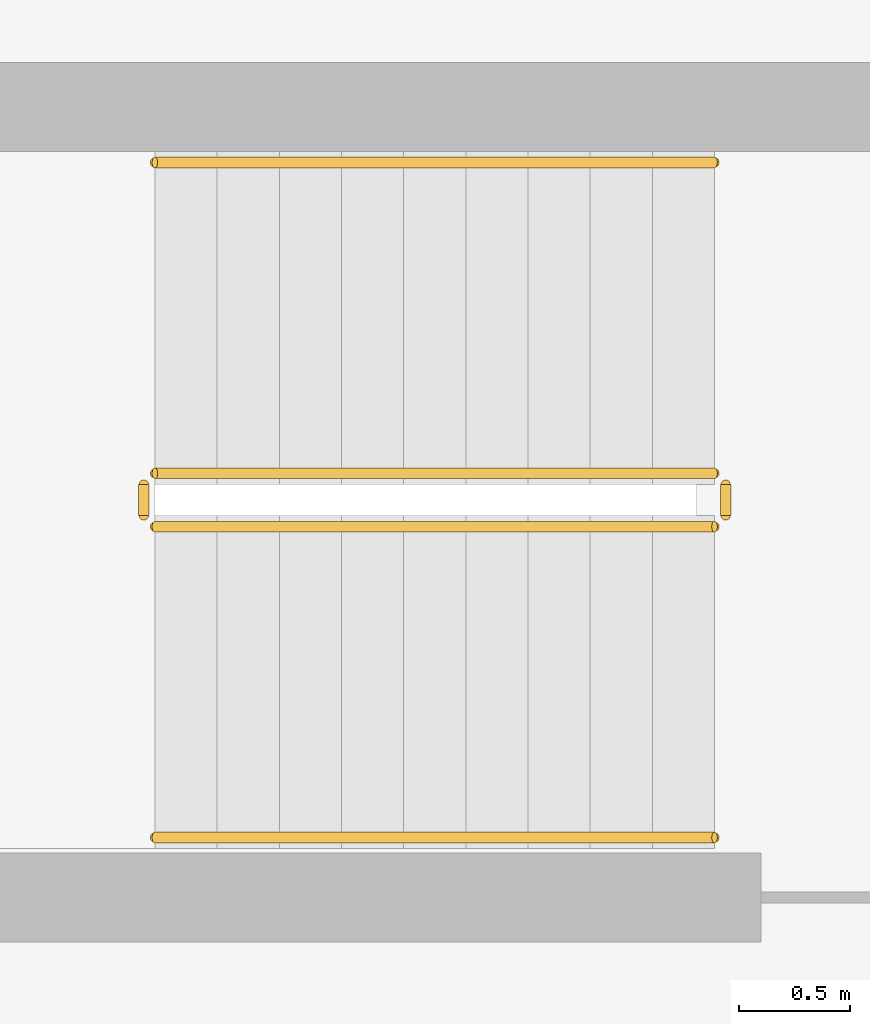
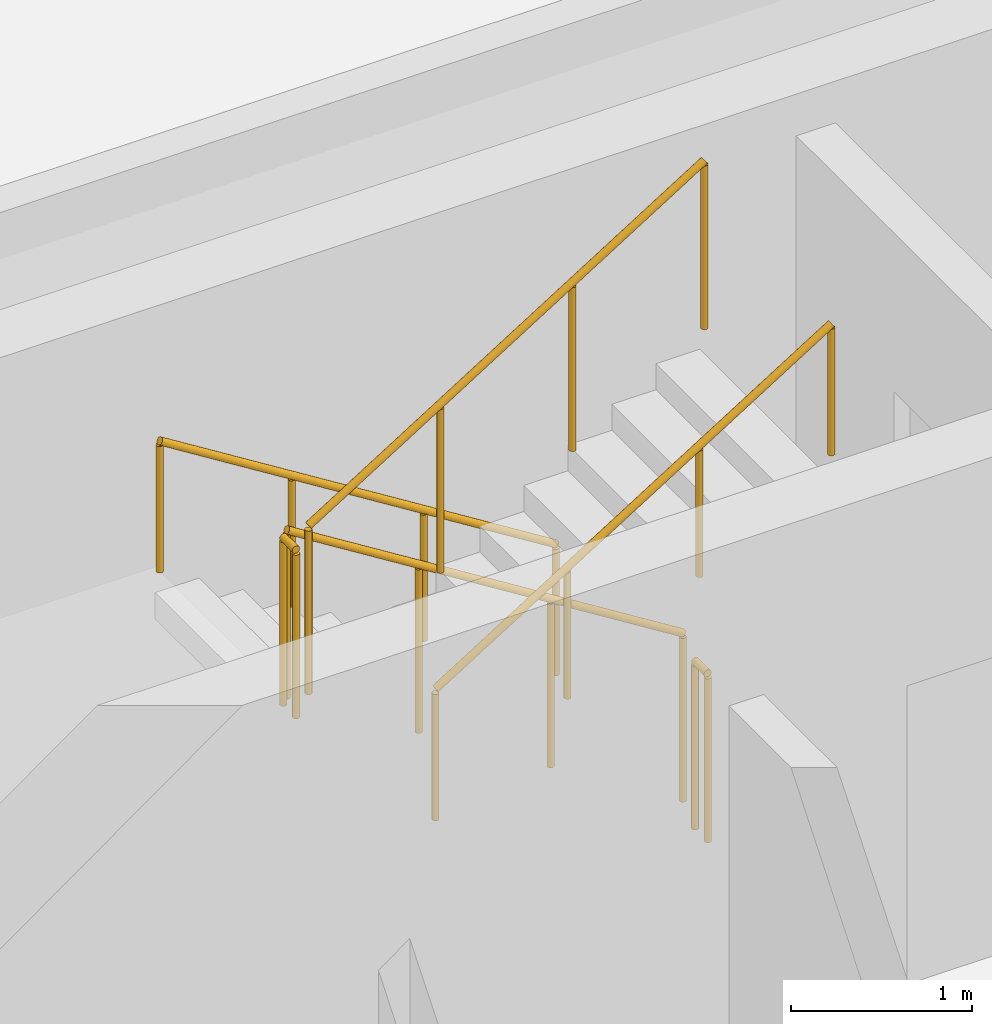
# One storey, part 13 of 14: 6 railings.
"""IFC4 building model written with IfcOpenShell, lengths in metres."""

from ifc_helpers import new_model, si_unit, derived_unit, direction, frame, origin, origin_2d, place, context, subcontext, project, spatial, circle, extrude, material, type_object, element, save


model = new_model("IFC4")

# Units and contexts
model_context = context("Model", 3, precision=1e-05, world=origin(), true_north=direction((0.0, 1.0)))
body_context = subcontext(model_context, "Body", "Model", "MODEL_VIEW")
ifc_project = project(units=[si_unit("LENGTHUNIT", "METRE"), si_unit("AREAUNIT", "SQUARE_METRE"), si_unit("VOLUMEUNIT", "CUBIC_METRE"), si_unit("PLANEANGLEUNIT", "RADIAN"), si_unit("MASSUNIT", "GRAM", prefix="KILO"), derived_unit("THERMALTRANSMITTANCEUNIT", [(si_unit("POWERUNIT", "WATT"), 1), (si_unit("LENGTHUNIT", "METRE"), -2), (si_unit("THERMODYNAMICTEMPERATUREUNIT", "KELVIN"), -1)])], contexts=[model_context])

# Site, building, storey
site_placement = place(None, origin())
site = spatial("IfcSite", under=ifc_project, at=site_placement, CompositionType="ELEMENT")
building_placement = place(site_placement, origin())
building = spatial("IfcBuilding", under=site, at=building_placement, Name="Kivonza Crest Hotel", CompositionType="ELEMENT")
storey_placement = place(building_placement, frame((0.0, 0.0, 145.0)))
storey = spatial("IfcBuildingStorey", under=building, at=storey_placement, Name="L39", CompositionType="ELEMENT", Elevation=145.0)

# Railings
ifc_material_1 = material(Name="Brushed stainless steel handrail", Category="steel")
railing_type_1 = type_object("IfcRailingType", Name="RL-HAND-900", PredefinedType="HANDRAIL", material=ifc_material_1)
railing_1_placement = place(storey_placement, frame((12.239990234375, 36.110107421875, 0.175048828125)))
element("IfcRailing", 1, at=railing_1_placement, inside=storey, type_object=railing_type_1, Name="L39 ST-T1-N stair handrail 1", PredefinedType="HANDRAIL", context=body_context, shape_type="SweptSolid", body=[
    extrude(circle(Radius=0.02392578125, at=origin_2d()), frame((0.0, 0.0, 0.8759765625), z_axis=(-0.848007534815, 0.0, 0.529984170421), x_axis=(0.0, -1.0, 0.0)), (0.0, 0.0, 1.0), 2.9716796875),
    extrude(circle(Radius=0.02099609375, at=origin_2d()), origin(), (0.0, 0.0, 1.0), 0.851806640625),
    extrude(circle(Radius=0.02099609375, at=origin_2d()), frame((-0.840087890625, 0.0, 0.52490234375)), (0.0, 0.0, 1.0), 0.851806640625),
    extrude(circle(Radius=0.02099609375, at=origin_2d()), frame((-1.679931640625, 0.0, 1.050048828125)), (0.0, 0.0, 1.0), 0.851806640625),
    extrude(circle(Radius=0.02099609375, at=origin_2d()), frame((-2.52001953125, 0.0, 1.574951171875)), (0.0, 0.0, 1.0), 0.851806640625),
])
railing_2_placement = place(storey_placement, frame((9.719970703125, 33.070068359375, 1.925048828125)))
element("IfcRailing", 2, at=railing_2_placement, inside=storey, type_object=railing_type_1, Name="L39 ST-T1-N stair handrail 2", PredefinedType="HANDRAIL", context=body_context, shape_type="SweptSolid", body=[
    extrude(circle(Radius=0.02392578125, at=origin_2d()), frame((0.0, 0.0, 0.8759765625), z_axis=(0.848007534815, 0.0, 0.529984170421), x_axis=(0.0, 1.0, 0.0)), (0.0, 0.0, 1.0), 2.9716796875),
    extrude(circle(Radius=0.02099609375, at=origin_2d()), origin(), (0.0, 0.0, 1.0), 0.851806640625),
    extrude(circle(Radius=0.02099609375, at=origin_2d()), frame((0.840087890625, 0.0, 0.52490234375)), (0.0, 0.0, 1.0), 0.851806640625),
    extrude(circle(Radius=0.02099609375, at=origin_2d()), frame((1.679931640625, 0.0, 1.050048828125)), (0.0, 0.0, 1.0), 0.851806640625),
    extrude(circle(Radius=0.02099609375, at=origin_2d()), frame((2.52001953125, 0.0, 1.574951171875)), (0.0, 0.0, 1.0), 0.851806640625),
])
ifc_material_2 = material(Name="Painted steel balustrade", Category="steel")
railing_type_2 = type_object("IfcRailingType", Name="RL-STAIR-1150", PredefinedType="BALUSTRADE", material=ifc_material_2)
railing_3_placement = place(storey_placement, frame((12.239990234375, 34.7099609375, 0.175048828125)))
element("IfcRailing", 3, at=railing_3_placement, inside=storey, type_object=railing_type_2, Name="L39 ST-T1-N stair guard 1", PredefinedType="BALUSTRADE", context=body_context, shape_type="SweptSolid", body=[
    extrude(circle(Radius=0.02392578125, at=origin_2d()), frame((0.0, 0.0, 1.1259765625), z_axis=(-0.848007534815, 0.0, 0.529984170421), x_axis=(0.0, -1.0, 0.0)), (0.0, 0.0, 1.0), 2.9716796875),
    extrude(circle(Radius=0.02099609375, at=origin_2d()), origin(), (0.0, 0.0, 1.0), 1.101806640625),
    extrude(circle(Radius=0.02099609375, at=origin_2d()), frame((-0.840087890625, 0.0, 0.52490234375)), (0.0, 0.0, 1.0), 1.101806640625),
    extrude(circle(Radius=0.02099609375, at=origin_2d()), frame((-1.679931640625, 0.0, 1.050048828125)), (0.0, 0.0, 1.0), 1.101806640625),
    extrude(circle(Radius=0.02099609375, at=origin_2d()), frame((-2.52001953125, 0.0, 1.574951171875)), (0.0, 0.0, 1.0), 1.101806640625),
])
railing_4_placement = place(storey_placement, frame((9.669921875, 34.659912109375, 1.75)))
element("IfcRailing", 4, at=railing_4_placement, inside=storey, type_object=railing_type_2, Name="L39 ST-T1-N stair guard 2", PredefinedType="BALUSTRADE", context=body_context, shape_type="SweptSolid", body=[
    extrude(circle(Radius=0.02392578125, at=origin_2d()), frame((0.0, 0.0, 1.1259765625), z_axis=(0.0, -1.0, 0.0), x_axis=(1.0, 0.0, 0.0)), (0.0, 0.0, 1.0), 0.139892578125),
    extrude(circle(Radius=0.02099609375, at=origin_2d()), origin(), (0.0, 0.0, 1.0), 1.101806640625),
    extrude(circle(Radius=0.02099609375, at=origin_2d()), frame((0.0, -0.139892578125, 0.0)), (0.0, 0.0, 1.0), 1.101806640625),
])
railing_5_placement = place(storey_placement, frame((9.719970703125, 34.469970703125, 1.925048828125)))
element("IfcRailing", 5, at=railing_5_placement, inside=storey, type_object=railing_type_2, Name="L39 ST-T1-N stair guard 3", PredefinedType="BALUSTRADE", context=body_context, shape_type="SweptSolid", body=[
    extrude(circle(Radius=0.02392578125, at=origin_2d()), frame((0.0, 0.0, 1.1259765625), z_axis=(0.848007534815, 0.0, 0.529984170421), x_axis=(0.0, 1.0, 0.0)), (0.0, 0.0, 1.0), 2.9716796875),
    extrude(circle(Radius=0.02099609375, at=origin_2d()), origin(), (0.0, 0.0, 1.0), 1.101806640625),
    extrude(circle(Radius=0.02099609375, at=origin_2d()), frame((0.840087890625, 0.0, 0.52490234375)), (0.0, 0.0, 1.0), 1.101806640625),
    extrude(circle(Radius=0.02099609375, at=origin_2d()), frame((1.679931640625, 0.0, 1.050048828125)), (0.0, 0.0, 1.0), 1.101806640625),
    extrude(circle(Radius=0.02099609375, at=origin_2d()), frame((2.52001953125, 0.0, 1.574951171875)), (0.0, 0.0, 1.0), 1.101806640625),
])
railing_6_placement = place(storey_placement, frame((12.2900390625, 34.659912109375, 0.0)))
element("IfcRailing", 6, at=railing_6_placement, inside=storey, type_object=railing_type_2, Name="L39 ST-T1-N stair guard 4", PredefinedType="BALUSTRADE", context=body_context, shape_type="SweptSolid", body=[
    extrude(circle(Radius=0.02392578125, at=origin_2d()), frame((0.0, 0.0, 1.1259765625), z_axis=(0.0, -1.0, 0.0), x_axis=(1.0, 0.0, 0.0)), (0.0, 0.0, 1.0), 0.139892578125),
    extrude(circle(Radius=0.02099609375, at=origin_2d()), origin(), (0.0, 0.0, 1.0), 1.101806640625),
    extrude(circle(Radius=0.02099609375, at=origin_2d()), frame((0.0, -0.139892578125, 0.0)), (0.0, 0.0, 1.0), 1.101806640625),
])

save(model, "model.ifc")
